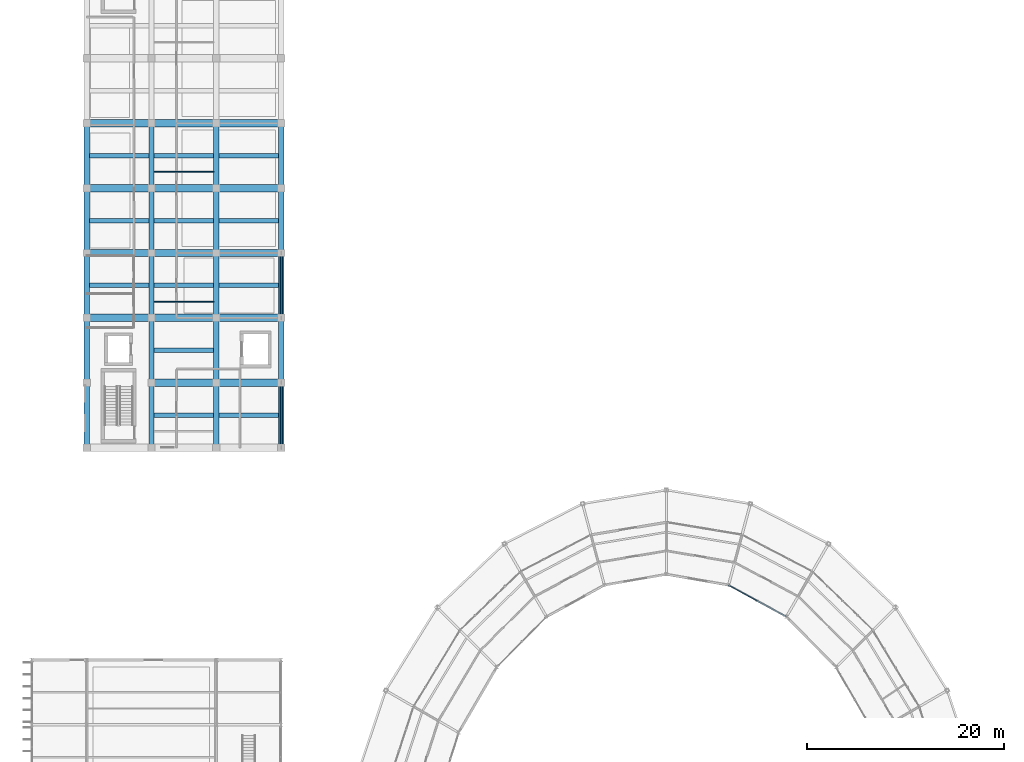
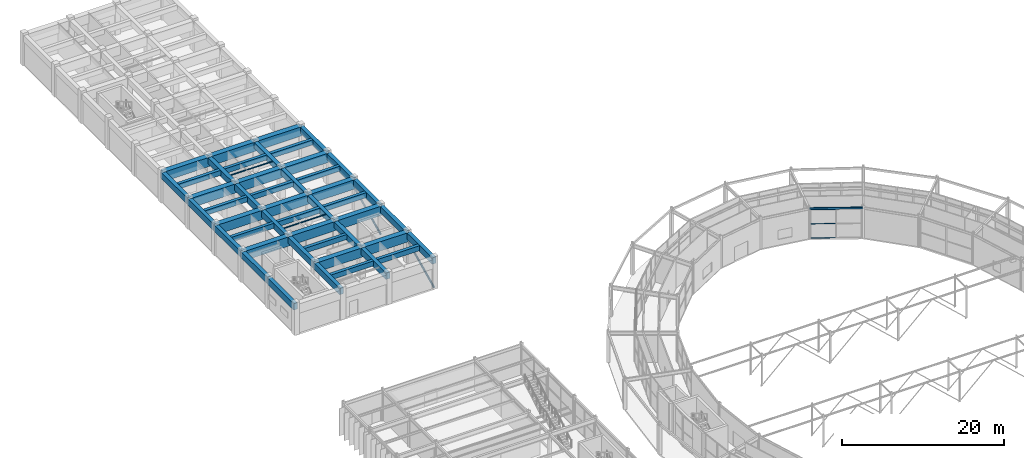
# One storey, part 82 of 144: 49 beams, 5 members, 1 element without a shape of its own.
"""IFC4 building model written with IfcOpenShell, lengths in metres."""

from ifc_helpers import new_model, si_unit, direction, frame, origin, origin_2d, place, context, subcontext, project, spatial, rectangle, hollow_rectangle, hollow_circle, i_section, extrude, material, material_profile, profile_set, type_object, element, aggregate, save


model = new_model("IFC4")

# Units and contexts
model_context = context("Model", 3, precision=1e-05, world=origin(), true_north=direction((0.0, 1.0)))
body_context = subcontext(model_context, "Body", "Model", "MODEL_VIEW")
ifc_project = project(units=[si_unit("LENGTHUNIT", "METRE"), si_unit("AREAUNIT", "SQUARE_METRE"), si_unit("VOLUMEUNIT", "CUBIC_METRE"), si_unit("PLANEANGLEUNIT", "RADIAN"), si_unit("MASSUNIT", "GRAM", prefix="KILO")], contexts=[model_context])

# Site, building, storey
site_placement = place(None, origin())
site = spatial("IfcSite", under=ifc_project, at=site_placement, CompositionType="ELEMENT")
building_placement = place(site_placement, origin())
building = spatial("IfcBuilding", under=site, at=building_placement, Name="Karori Crest Natural Sciences Institute", CompositionType="ELEMENT")
storey_placement = place(building_placement, origin())
storey = spatial("IfcBuildingStorey", under=building, at=storey_placement, Name="L00", CompositionType="ELEMENT", Elevation=0.0)

# Beams
ifc_material_1 = material(Name="Hollow structural steel AS/NZS 1163 Grade C350", Category="steel")
ifc_material_profile_1 = material_profile(ifc_material_1, hollow_rectangle(XDim=0.14990234375, YDim=0.25, WallThickness=0.009033203125, at=origin_2d()), Name="RHS250x150x9")
ifc_profile_set_1 = profile_set([ifc_material_profile_1], Name="Hollow structural steel AS/NZS 1163 Grade C350")
beam_type_1 = type_object("IfcBeamType", Name="BT-16", PredefinedType="SPANDREL", material=ifc_profile_set_1)
beam_1_placement = place(storey_placement, frame((78.60009765625, 77.785888671875, 4.489990234375), z_axis=(-0.877469531616, 0.47963238119, 0.0), x_axis=(-0.47963238119, -0.877469531616, 0.0)))
element("IfcBeam", 1, at=beam_1_placement, inside=storey, type_object=beam_type_1, Name="Beam B-0106", PredefinedType="SPANDREL", context=body_context, shape_type="SweptSolid", body=[
    extrude(hollow_rectangle(XDim=0.14990234375, YDim=0.25, WallThickness=0.009033203125, at=origin_2d()), origin(), (0.0, 0.0, 1.0), 6.706787109375),
])
ifc_material_2 = material(Name="Concrete 50 MPa", Category="concrete")
ifc_material_profile_2 = material_profile(ifc_material_2, rectangle(XDim=0.75, YDim=1.39990234375, at=origin_2d()), Name="RCB750x1400")
ifc_profile_set_2 = profile_set([ifc_material_profile_2], Name="Concrete 50 MPa")
beam_type_2 = type_object("IfcBeamType", Name="BT-17-IL", PredefinedType="BEAM", material=ifc_profile_set_2)
beam_2_placement = place(storey_placement, frame((14.0, 101.60009765625, 3.85009765625), z_axis=(1.0, 0.0, 0.0), x_axis=(0.0, 1.0, 0.0)))
element("IfcBeam", 2, at=beam_2_placement, inside=storey, type_object=beam_type_2, Name="Beam B-1350", PredefinedType="BEAM", context=body_context, shape_type="SweptSolid", body=[
    extrude(rectangle(XDim=0.75, YDim=1.39990234375, at=origin_2d()), origin(), (0.0, 0.0, 1.0), 6.60009765625),
])
beam_3_placement = place(storey_placement, frame((20.60009765625, 101.60009765625, 3.85009765625), z_axis=(1.0, 0.0, 0.0), x_axis=(0.0, 1.0, 0.0)))
element("IfcBeam", 3, at=beam_3_placement, inside=storey, type_object=beam_type_2, Name="Beam B-1351", PredefinedType="BEAM", context=body_context, shape_type="SweptSolid", body=[
    extrude(rectangle(XDim=0.75, YDim=1.39990234375, at=origin_2d()), origin(), (0.0, 0.0, 1.0), 6.599853515625),
])
for number, where, z_axis, x_axis, name in (
    (4, (7.39990234375, 108.199951171875, 3.85009765625), (1.0, 0.0, 0.0), (0.0, 1.0, 0.0), "Beam B-1352"),
    (5, (14.0, 108.199951171875, 3.85009765625), (1.0, 0.0, 0.0), (0.0, 1.0, 0.0), "Beam B-1353"),
):
    element("IfcBeam", number, at=place(storey_placement, frame(where, z_axis=z_axis, x_axis=x_axis)), inside=storey, type_object=beam_type_2, Name=name, PredefinedType="BEAM", context=body_context, shape_type="SweptSolid", body=[
        extrude(rectangle(XDim=0.75, YDim=1.39990234375, at=origin_2d()), origin(), (0.0, 0.0, 1.0), 6.60009765625),
    ])
beam_4_placement = place(storey_placement, frame((20.60009765625, 108.199951171875, 3.85009765625), z_axis=(1.0, 0.0, 0.0), x_axis=(0.0, 1.0, 0.0)))
element("IfcBeam", 6, at=beam_4_placement, inside=storey, type_object=beam_type_2, Name="Beam B-1354", PredefinedType="BEAM", context=body_context, shape_type="SweptSolid", body=[
    extrude(rectangle(XDim=0.75, YDim=1.39990234375, at=origin_2d()), origin(), (0.0, 0.0, 1.0), 6.599853515625),
])
for number, where, z_axis, x_axis, name in (
    (7, (7.39990234375, 114.800048828125, 3.85009765625), (1.0, 0.0, 0.0), (0.0, 1.0, 0.0), "Beam B-1355"),
    (8, (14.0, 114.800048828125, 3.85009765625), (1.0, 0.0, 0.0), (0.0, 1.0, 0.0), "Beam B-1356"),
):
    element("IfcBeam", number, at=place(storey_placement, frame(where, z_axis=z_axis, x_axis=x_axis)), inside=storey, type_object=beam_type_2, Name=name, PredefinedType="BEAM", context=body_context, shape_type="SweptSolid", body=[
        extrude(rectangle(XDim=0.75, YDim=1.39990234375, at=origin_2d()), origin(), (0.0, 0.0, 1.0), 6.60009765625),
    ])
beam_5_placement = place(storey_placement, frame((20.60009765625, 114.800048828125, 3.85009765625), z_axis=(1.0, 0.0, 0.0), x_axis=(0.0, 1.0, 0.0)))
element("IfcBeam", 9, at=beam_5_placement, inside=storey, type_object=beam_type_2, Name="Beam B-1357", PredefinedType="BEAM", context=body_context, shape_type="SweptSolid", body=[
    extrude(rectangle(XDim=0.75, YDim=1.39990234375, at=origin_2d()), origin(), (0.0, 0.0, 1.0), 6.599853515625),
])
for number, where, z_axis, x_axis, name in (
    (10, (7.39990234375, 121.39990234375, 3.85009765625), (1.0, 0.0, 0.0), (0.0, 1.0, 0.0), "Beam B-1358"),
    (11, (14.0, 121.39990234375, 3.85009765625), (1.0, 0.0, 0.0), (0.0, 1.0, 0.0), "Beam B-1359"),
):
    element("IfcBeam", number, at=place(storey_placement, frame(where, z_axis=z_axis, x_axis=x_axis)), inside=storey, type_object=beam_type_2, Name=name, PredefinedType="BEAM", context=body_context, shape_type="SweptSolid", body=[
        extrude(rectangle(XDim=0.75, YDim=1.39990234375, at=origin_2d()), origin(), (0.0, 0.0, 1.0), 6.60009765625),
    ])
beam_6_placement = place(storey_placement, frame((20.60009765625, 121.39990234375, 3.85009765625), z_axis=(1.0, 0.0, 0.0), x_axis=(0.0, 1.0, 0.0)))
element("IfcBeam", 12, at=beam_6_placement, inside=storey, type_object=beam_type_2, Name="Beam B-1360", PredefinedType="BEAM", context=body_context, shape_type="SweptSolid", body=[
    extrude(rectangle(XDim=0.75, YDim=1.39990234375, at=origin_2d()), origin(), (0.0, 0.0, 1.0), 6.599853515625),
])
for number, where, z_axis, x_axis, name in (
    (13, (7.39990234375, 128.0, 3.85009765625), (1.0, 0.0, 0.0), (0.0, 1.0, 0.0), "Beam B-1361"),
    (14, (14.0, 128.0, 3.85009765625), (1.0, 0.0, 0.0), (0.0, 1.0, 0.0), "Beam B-1362"),
):
    element("IfcBeam", number, at=place(storey_placement, frame(where, z_axis=z_axis, x_axis=x_axis)), inside=storey, type_object=beam_type_2, Name=name, PredefinedType="BEAM", context=body_context, shape_type="SweptSolid", body=[
        extrude(rectangle(XDim=0.75, YDim=1.39990234375, at=origin_2d()), origin(), (0.0, 0.0, 1.0), 6.60009765625),
    ])
beam_7_placement = place(storey_placement, frame((20.60009765625, 128.0, 3.85009765625), z_axis=(1.0, 0.0, 0.0), x_axis=(0.0, 1.0, 0.0)))
element("IfcBeam", 15, at=beam_7_placement, inside=storey, type_object=beam_type_2, Name="Beam B-1363", PredefinedType="BEAM", context=body_context, shape_type="SweptSolid", body=[
    extrude(rectangle(XDim=0.75, YDim=1.39990234375, at=origin_2d()), origin(), (0.0, 0.0, 1.0), 6.599853515625),
])
ifc_material_3 = material(Name="Structural steel AS/NZS 3679.1 Grade 350", Category="steel")
ifc_material_profile_3 = material_profile(ifc_material_3, i_section(OverallWidth=0.090087890625, OverallDepth=0.178955078125, WebThickness=0.006103515625, FlangeThickness=0.010009765625, FilletRadius=0.009033203125, at=origin_2d()), Name="180UB22.2")
ifc_profile_set_3 = profile_set([ifc_material_profile_3], Name="Structural steel AS/NZS 3679.1 Grade 350")
beam_type_3 = type_object("IfcBeamType", Name="BT-24", PredefinedType="LINTEL", material=ifc_profile_set_3)
beam_8_placement = place(storey_placement, frame((14.27490234375, 109.85009765625, 4.46044921875), z_axis=(1.0, 0.0, 0.0), x_axis=(0.0, 1.0, 0.0)))
element("IfcBeam", 16, at=beam_8_placement, inside=storey, type_object=beam_type_3, Name="Beam B-1429", PredefinedType="LINTEL", context=body_context, shape_type="SweptSolid", body=[
    extrude(i_section(OverallWidth=0.090087890625, OverallDepth=0.178955078125, WebThickness=0.006103515625, FlangeThickness=0.010009765625, FilletRadius=0.009033203125, at=origin_2d()), origin(), (0.0, 0.0, 1.0), 6.050048828125),
])
ifc_material_profile_4 = material_profile(ifc_material_3, i_section(OverallWidth=0.090087890625, OverallDepth=0.175048828125, WebThickness=0.0048828125, FlangeThickness=0.008056640625, FilletRadius=0.009033203125, at=origin_2d()), Name="180UB18.1")
ifc_profile_set_4 = profile_set([ifc_material_profile_4], Name="Structural steel AS/NZS 3679.1 Grade 350")
beam_type_4 = type_object("IfcBeamType", Name="BT-31", PredefinedType="LINTEL", material=ifc_profile_set_4)
beam_9_placement = place(storey_placement, frame((14.27490234375, 123.050048828125, 4.46240234375), z_axis=(1.0, 0.0, 0.0), x_axis=(0.0, 1.0, 0.0)))
element("IfcBeam", 17, at=beam_9_placement, inside=storey, type_object=beam_type_4, Name="Beam B-1432", PredefinedType="LINTEL", context=body_context, shape_type="SweptSolid", body=[
    extrude(i_section(OverallWidth=0.090087890625, OverallDepth=0.175048828125, WebThickness=0.0048828125, FlangeThickness=0.008056640625, FilletRadius=0.009033203125, at=origin_2d()), origin(), (0.0, 0.0, 1.0), 6.050048828125),
])
ifc_material_profile_5 = material_profile(ifc_material_2, rectangle(XDim=0.550048828125, YDim=0.949951171875, at=origin_2d()), Name="RCB550x950")
ifc_profile_set_5 = profile_set([ifc_material_profile_5], Name="Concrete 50 MPa")
beam_type_5 = type_object("IfcBeamType", Name="BT-34", PredefinedType="BEAM", material=ifc_profile_set_5)
beam_10_placement = place(storey_placement, frame((7.39990234375, 95.0, 4.074951171875), z_axis=(0.0, 1.0, 0.0), x_axis=(-1.0, 0.0, 0.0)))
element("IfcBeam", 18, at=beam_10_placement, inside=storey, type_object=beam_type_5, Name="Beam B-1378", PredefinedType="BEAM", context=body_context, shape_type="SweptSolid", body=[
    extrude(rectangle(XDim=0.550048828125, YDim=0.949951171875, at=origin_2d()), origin(), (0.0, 0.0, 1.0), 6.60009765625),
])
beam_11_placement = place(storey_placement, frame((7.39990234375, 101.60009765625, 4.074951171875), z_axis=(0.0, 1.0, 0.0), x_axis=(-1.0, 0.0, 0.0)))
element("IfcBeam", 19, at=beam_11_placement, inside=storey, type_object=beam_type_5, Name="Beam B-1379", PredefinedType="BEAM", context=body_context, shape_type="SweptSolid", body=[
    extrude(rectangle(XDim=0.550048828125, YDim=0.949951171875, at=origin_2d()), origin(), (0.0, 0.0, 1.0), 6.599853515625),
])
beam_12_placement = place(storey_placement, frame((7.39990234375, 108.199951171875, 4.074951171875), z_axis=(0.0, 1.0, 0.0), x_axis=(-1.0, 0.0, 0.0)))
element("IfcBeam", 20, at=beam_12_placement, inside=storey, type_object=beam_type_5, Name="Beam B-1380", PredefinedType="BEAM", context=body_context, shape_type="SweptSolid", body=[
    extrude(rectangle(XDim=0.550048828125, YDim=0.949951171875, at=origin_2d()), origin(), (0.0, 0.0, 1.0), 6.60009765625),
])
beam_13_placement = place(storey_placement, frame((7.39990234375, 114.800048828125, 4.074951171875), z_axis=(0.0, 1.0, 0.0), x_axis=(-1.0, 0.0, 0.0)))
element("IfcBeam", 21, at=beam_13_placement, inside=storey, type_object=beam_type_5, Name="Beam B-1381", PredefinedType="BEAM", context=body_context, shape_type="SweptSolid", body=[
    extrude(rectangle(XDim=0.550048828125, YDim=0.949951171875, at=origin_2d()), origin(), (0.0, 0.0, 1.0), 6.599853515625),
])
for number, where, z_axis, x_axis, name in (
    (22, (7.39990234375, 121.39990234375, 4.074951171875), (0.0, 1.0, 0.0), (-1.0, 0.0, 0.0), "Beam B-1382"),
    (23, (27.199951171875, 95.0, 4.074951171875), (0.0, 1.0, 0.0), (-1.0, 0.0, 0.0), "Beam B-1408"),
):
    element("IfcBeam", number, at=place(storey_placement, frame(where, z_axis=z_axis, x_axis=x_axis)), inside=storey, type_object=beam_type_5, Name=name, PredefinedType="BEAM", context=body_context, shape_type="SweptSolid", body=[
        extrude(rectangle(XDim=0.550048828125, YDim=0.949951171875, at=origin_2d()), origin(), (0.0, 0.0, 1.0), 6.60009765625),
    ])
beam_14_placement = place(storey_placement, frame((27.199951171875, 101.60009765625, 4.074951171875), z_axis=(0.0, 1.0, 0.0), x_axis=(-1.0, 0.0, 0.0)))
element("IfcBeam", 24, at=beam_14_placement, inside=storey, type_object=beam_type_5, Name="Beam B-1409", PredefinedType="BEAM", context=body_context, shape_type="SweptSolid", body=[
    extrude(rectangle(XDim=0.550048828125, YDim=0.949951171875, at=origin_2d()), origin(), (0.0, 0.0, 1.0), 6.599853515625),
])
beam_15_placement = place(storey_placement, frame((27.199951171875, 108.199951171875, 4.074951171875), z_axis=(0.0, 1.0, 0.0), x_axis=(-1.0, 0.0, 0.0)))
element("IfcBeam", 25, at=beam_15_placement, inside=storey, type_object=beam_type_5, Name="Beam B-1410", PredefinedType="BEAM", context=body_context, shape_type="SweptSolid", body=[
    extrude(rectangle(XDim=0.550048828125, YDim=0.949951171875, at=origin_2d()), origin(), (0.0, 0.0, 1.0), 6.60009765625),
])
beam_16_placement = place(storey_placement, frame((27.199951171875, 114.800048828125, 4.074951171875), z_axis=(0.0, 1.0, 0.0), x_axis=(-1.0, 0.0, 0.0)))
element("IfcBeam", 26, at=beam_16_placement, inside=storey, type_object=beam_type_5, Name="Beam B-1411", PredefinedType="BEAM", context=body_context, shape_type="SweptSolid", body=[
    extrude(rectangle(XDim=0.550048828125, YDim=0.949951171875, at=origin_2d()), origin(), (0.0, 0.0, 1.0), 6.599853515625),
])
beam_17_placement = place(storey_placement, frame((27.199951171875, 121.39990234375, 4.074951171875), z_axis=(0.0, 1.0, 0.0), x_axis=(-1.0, 0.0, 0.0)))
element("IfcBeam", 27, at=beam_17_placement, inside=storey, type_object=beam_type_5, Name="Beam B-1412", PredefinedType="BEAM", context=body_context, shape_type="SweptSolid", body=[
    extrude(rectangle(XDim=0.550048828125, YDim=0.949951171875, at=origin_2d()), origin(), (0.0, 0.0, 1.0), 6.60009765625),
])
ifc_material_profile_6 = material_profile(ifc_material_2, rectangle(XDim=0.550048828125, YDim=0.949951171875, at=origin_2d()), Name="RCB550x950")
ifc_profile_set_6 = profile_set([ifc_material_profile_6], Name="Concrete 50 MPa")
beam_type_6 = type_object("IfcBeamType", Name="BT-34-IL", PredefinedType="BEAM", material=ifc_profile_set_6)
beam_18_placement = place(storey_placement, frame((14.0, 95.0, 4.074951171875), z_axis=(0.0, 1.0, 0.0), x_axis=(-1.0, 0.0, 0.0)))
element("IfcBeam", 28, at=beam_18_placement, inside=storey, type_object=beam_type_6, Name="Beam B-1388", PredefinedType="BEAM", context=body_context, shape_type="SweptSolid", body=[
    extrude(rectangle(XDim=0.550048828125, YDim=0.949951171875, at=origin_2d()), origin(), (0.0, 0.0, 1.0), 6.60009765625),
])
beam_19_placement = place(storey_placement, frame((14.0, 101.60009765625, 4.074951171875), z_axis=(0.0, 1.0, 0.0), x_axis=(-1.0, 0.0, 0.0)))
element("IfcBeam", 29, at=beam_19_placement, inside=storey, type_object=beam_type_6, Name="Beam B-1389", PredefinedType="BEAM", context=body_context, shape_type="SweptSolid", body=[
    extrude(rectangle(XDim=0.550048828125, YDim=0.949951171875, at=origin_2d()), origin(), (0.0, 0.0, 1.0), 6.599853515625),
])
beam_20_placement = place(storey_placement, frame((14.0, 108.199951171875, 4.074951171875), z_axis=(0.0, 1.0, 0.0), x_axis=(-1.0, 0.0, 0.0)))
element("IfcBeam", 30, at=beam_20_placement, inside=storey, type_object=beam_type_6, Name="Beam B-1390", PredefinedType="BEAM", context=body_context, shape_type="SweptSolid", body=[
    extrude(rectangle(XDim=0.550048828125, YDim=0.949951171875, at=origin_2d()), origin(), (0.0, 0.0, 1.0), 6.60009765625),
])
beam_21_placement = place(storey_placement, frame((14.0, 114.800048828125, 4.074951171875), z_axis=(0.0, 1.0, 0.0), x_axis=(-1.0, 0.0, 0.0)))
element("IfcBeam", 31, at=beam_21_placement, inside=storey, type_object=beam_type_6, Name="Beam B-1391", PredefinedType="BEAM", context=body_context, shape_type="SweptSolid", body=[
    extrude(rectangle(XDim=0.550048828125, YDim=0.949951171875, at=origin_2d()), origin(), (0.0, 0.0, 1.0), 6.599853515625),
])
for number, where, z_axis, x_axis, name in (
    (32, (14.0, 121.39990234375, 4.074951171875), (0.0, 1.0, 0.0), (-1.0, 0.0, 0.0), "Beam B-1392"),
    (33, (20.60009765625, 95.0, 4.074951171875), (0.0, 1.0, 0.0), (-1.0, 0.0, 0.0), "Beam B-1398"),
):
    element("IfcBeam", number, at=place(storey_placement, frame(where, z_axis=z_axis, x_axis=x_axis)), inside=storey, type_object=beam_type_6, Name=name, PredefinedType="BEAM", context=body_context, shape_type="SweptSolid", body=[
        extrude(rectangle(XDim=0.550048828125, YDim=0.949951171875, at=origin_2d()), origin(), (0.0, 0.0, 1.0), 6.60009765625),
    ])
beam_22_placement = place(storey_placement, frame((20.60009765625, 101.60009765625, 4.074951171875), z_axis=(0.0, 1.0, 0.0), x_axis=(-1.0, 0.0, 0.0)))
element("IfcBeam", 34, at=beam_22_placement, inside=storey, type_object=beam_type_6, Name="Beam B-1399", PredefinedType="BEAM", context=body_context, shape_type="SweptSolid", body=[
    extrude(rectangle(XDim=0.550048828125, YDim=0.949951171875, at=origin_2d()), origin(), (0.0, 0.0, 1.0), 6.599853515625),
])
beam_23_placement = place(storey_placement, frame((20.60009765625, 108.199951171875, 4.074951171875), z_axis=(0.0, 1.0, 0.0), x_axis=(-1.0, 0.0, 0.0)))
element("IfcBeam", 35, at=beam_23_placement, inside=storey, type_object=beam_type_6, Name="Beam B-1400", PredefinedType="BEAM", context=body_context, shape_type="SweptSolid", body=[
    extrude(rectangle(XDim=0.550048828125, YDim=0.949951171875, at=origin_2d()), origin(), (0.0, 0.0, 1.0), 6.60009765625),
])
beam_24_placement = place(storey_placement, frame((20.60009765625, 114.800048828125, 4.074951171875), z_axis=(0.0, 1.0, 0.0), x_axis=(-1.0, 0.0, 0.0)))
element("IfcBeam", 36, at=beam_24_placement, inside=storey, type_object=beam_type_6, Name="Beam B-1401", PredefinedType="BEAM", context=body_context, shape_type="SweptSolid", body=[
    extrude(rectangle(XDim=0.550048828125, YDim=0.949951171875, at=origin_2d()), origin(), (0.0, 0.0, 1.0), 6.599853515625),
])
beam_25_placement = place(storey_placement, frame((20.60009765625, 121.39990234375, 4.074951171875), z_axis=(0.0, 1.0, 0.0), x_axis=(-1.0, 0.0, 0.0)))
element("IfcBeam", 37, at=beam_25_placement, inside=storey, type_object=beam_type_6, Name="Beam B-1402", PredefinedType="BEAM", context=body_context, shape_type="SweptSolid", body=[
    extrude(rectangle(XDim=0.550048828125, YDim=0.949951171875, at=origin_2d()), origin(), (0.0, 0.0, 1.0), 6.60009765625),
])
ifc_material_profile_7 = material_profile(ifc_material_2, rectangle(XDim=0.449951171875, YDim=0.75, at=origin_2d()), Name="RCB450x750")
ifc_profile_set_7 = profile_set([ifc_material_profile_7], Name="Concrete 50 MPa")
beam_type_7 = type_object("IfcBeamType", Name="BT-35", PredefinedType="BEAM", material=ifc_profile_set_7)
for number, where, z_axis, x_axis, name in (
    (38, (7.675048828125, 111.5, 4.175048828125), (1.0, 0.0, 0.0), (0.0, 1.0, 0.0), "Beam B-1418"),
    (39, (7.675048828125, 118.10009765625, 4.175048828125), (1.0, 0.0, 0.0), (0.0, 1.0, 0.0), "Beam B-1419"),
    (40, (7.675048828125, 124.699951171875, 4.175048828125), (1.0, 0.0, 0.0), (0.0, 1.0, 0.0), "Beam B-1420"),
    (41, (14.27490234375, 98.300048828125, 4.175048828125), (1.0, 0.0, 0.0), (0.0, 1.0, 0.0), "Beam B-1425"),
    (42, (14.27490234375, 104.89990234375, 4.175048828125), (1.0, 0.0, 0.0), (0.0, 1.0, 0.0), "Beam B-1427"),
    (43, (14.27490234375, 111.5, 4.175048828125), (1.0, 0.0, 0.0), (0.0, 1.0, 0.0), "Beam B-1428"),
    (44, (14.27490234375, 118.10009765625, 4.175048828125), (1.0, 0.0, 0.0), (0.0, 1.0, 0.0), "Beam B-1430"),
    (45, (14.27490234375, 124.699951171875, 4.175048828125), (1.0, 0.0, 0.0), (0.0, 1.0, 0.0), "Beam B-1431"),
    (46, (20.875, 98.300048828125, 4.175048828125), (1.0, 0.0, 0.0), (0.0, 1.0, 0.0), "Beam B-1440"),
    (47, (20.875, 111.5, 4.175048828125), (1.0, 0.0, 0.0), (0.0, 1.0, 0.0), "Beam B-1441"),
    (48, (20.875, 118.10009765625, 4.175048828125), (1.0, 0.0, 0.0), (0.0, 1.0, 0.0), "Beam B-1442"),
    (49, (20.875, 124.699951171875, 4.175048828125), (1.0, 0.0, 0.0), (0.0, 1.0, 0.0), "Beam B-1443"),
):
    element("IfcBeam", number, at=place(storey_placement, frame(where, z_axis=z_axis, x_axis=x_axis)), inside=storey, type_object=beam_type_7, Name=name, PredefinedType="BEAM", context=body_context, shape_type="SweptSolid", body=[
        extrude(rectangle(XDim=0.449951171875, YDim=0.75, at=origin_2d()), origin(), (0.0, 0.0, 1.0), 6.050048828125),
    ])

# Curtain wall, members
ifc_material_4 = material(Name="Anodised architectural aluminium 6063-T6", Category="aluminium")
curtain_wall_type = type_object("IfcCurtainWallType", Name="CWT-15", PredefinedType="NOTDEFINED", material=ifc_material_4)
curtain_wall_placement = place(storey_placement, origin())
curtain_wall = element("IfcCurtainWall", 50, at=curtain_wall_placement, inside=storey, type_object=curtain_wall_type, Name="Curtain wall CW-0007", PredefinedType="NOTDEFINED")
ifc_material_profile_8 = material_profile(ifc_material_4, hollow_rectangle(XDim=0.06005859375, YDim=0.1201171875, WallThickness=0.00390625, at=origin_2d()), Name="CWT120x60x4")
ifc_profile_set_8 = profile_set([ifc_material_profile_8], Name="Anodised architectural aluminium 6063-T6")
member_type_1 = type_object("IfcMemberType", Name="CWT-TR1", PredefinedType="USERDEFINED", material=ifc_profile_set_8)
member_1_placement = place(storey_placement, frame((75.61279296875, 79.4189453125, 0.030029296875), z_axis=(-0.877462212151, 0.479645771635, 0.0), x_axis=(-0.479645771635, -0.877462212151, 0.0)))
member_1 = element("IfcMember", 51, at=member_1_placement, type_object=member_type_1, Name="CW-0007 transom 2.1", ObjectType="TRANSOM", PredefinedType="USERDEFINED", context=body_context, shape_type="SweptSolid", body=[
    extrude(hollow_rectangle(XDim=0.06005859375, YDim=0.1201171875, WallThickness=0.00390625, at=origin_2d()), origin(), (0.0, 0.0, 1.0), 3.102783203125),
])
member_2_placement = place(storey_placement, frame((75.61279296875, 79.4189453125, 2.175048828125), z_axis=(-0.877462212151, 0.479645771635, 0.0), x_axis=(-0.479645771635, -0.877462212151, 0.0)))
member_2 = element("IfcMember", 52, at=member_2_placement, type_object=member_type_1, Name="CW-0007 transom 2.2", ObjectType="TRANSOM", PredefinedType="USERDEFINED", context=body_context, shape_type="SweptSolid", body=[
    extrude(hollow_rectangle(XDim=0.06005859375, YDim=0.1201171875, WallThickness=0.00390625, at=origin_2d()), origin(), (0.0, 0.0, 1.0), 3.102783203125),
])
member_3_placement = place(storey_placement, frame((75.61279296875, 79.4189453125, 4.320068359375), z_axis=(-0.877462212151, 0.479645771635, 0.0), x_axis=(-0.479645771635, -0.877462212151, 0.0)))
member_3 = element("IfcMember", 53, at=member_3_placement, type_object=member_type_1, Name="CW-0007 transom 2.3", ObjectType="TRANSOM", PredefinedType="USERDEFINED", context=body_context, shape_type="SweptSolid", body=[
    extrude(hollow_rectangle(XDim=0.06005859375, YDim=0.1201171875, WallThickness=0.00390625, at=origin_2d()), origin(), (0.0, 0.0, 1.0), 3.102783203125),
])
aggregate(curtain_wall, [member_1, member_2, member_3])

# Members
ifc_material_profile_9 = material_profile(ifc_material_1, hollow_circle(Radius=0.136474609375, WallThickness=0.00927734375, at=origin_2d()), Name="CHS273.0x9.3")
ifc_profile_set_9 = profile_set([ifc_material_profile_9], Name="Hollow structural steel AS/NZS 1163 Grade C350")
member_type_2 = type_object("IfcMemberType", Name="MT-01-EL", PredefinedType="BRACE", material=ifc_profile_set_9)
for number, where, z_axis, x_axis, name in (
    (54, (27.199951171875, 95.0, 0.010009765625), (0.0, 0.902488705867, 0.430713519387), (-1.0, 0.0, 0.0), "Diagonal Brace M-0426"),
    (55, (27.199951171875, 108.199951171875, 0.010009765625), (0.0, 0.902488705867, 0.430713519387), (-1.0, 0.0, 0.0), "Diagonal Brace M-0427"),
):
    element("IfcMember", number, at=place(storey_placement, frame(where, z_axis=z_axis, x_axis=x_axis)), inside=storey, type_object=member_type_2, Name=name, PredefinedType="BRACE", context=body_context, shape_type="SweptSolid", body=[
        extrude(hollow_circle(Radius=0.136474609375, WallThickness=0.00927734375, at=origin_2d()), origin(), (0.0, 0.0, 1.0), 7.313232421875),
    ])

save(model, "model.ifc")
